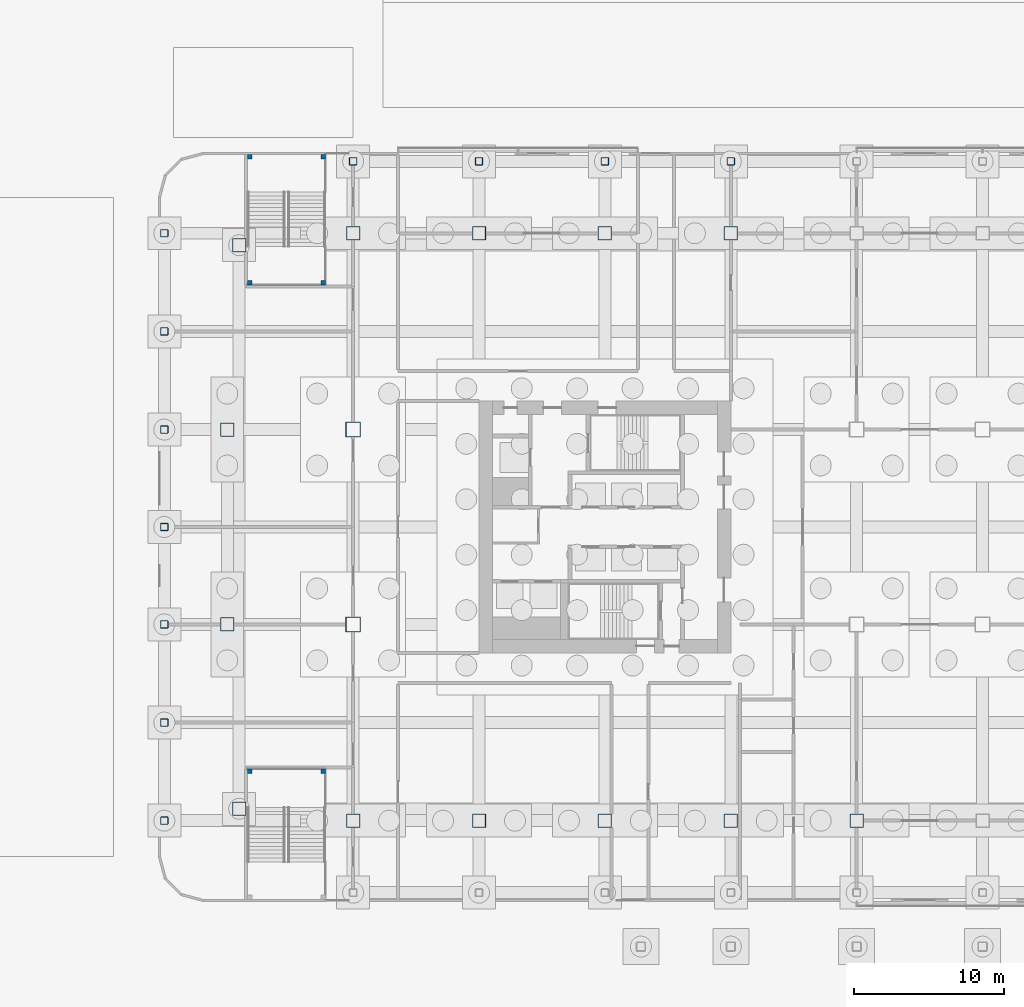
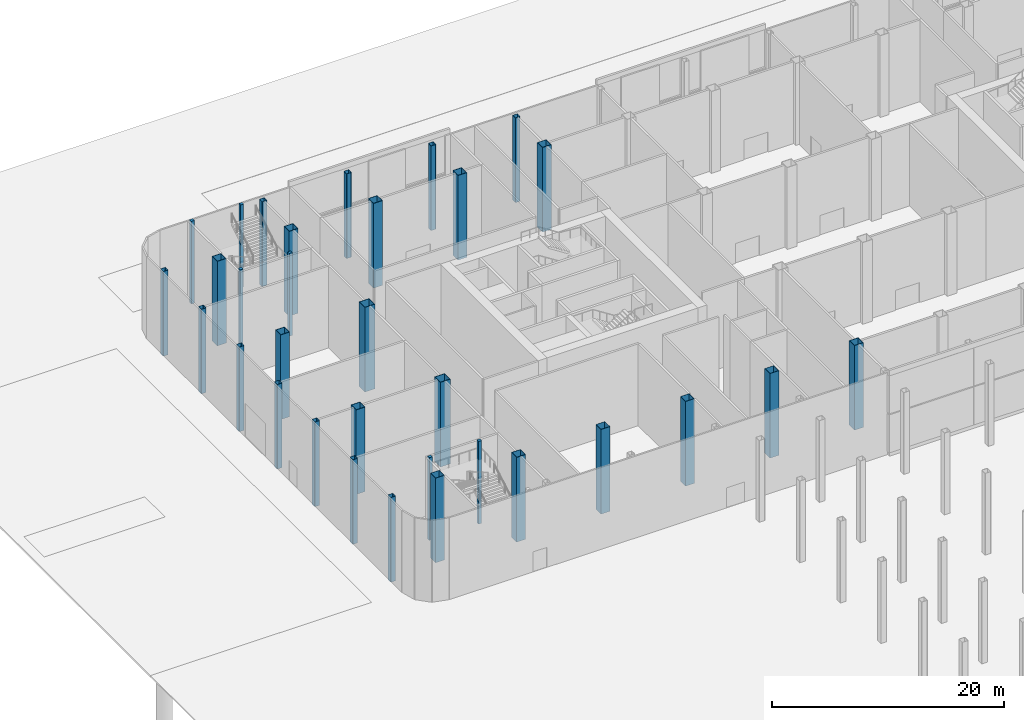
# One storey, part 11 of 113: 32 columns.
"""IFC4 building model written with IfcOpenShell, lengths in metres."""

from ifc_helpers import new_model, si_unit, direction, frame, origin, origin_2d, place, context, subcontext, project, spatial, rectangle, hollow_rectangle, extrude, material, material_profile, profile_set, type_object, element, save


model = new_model("IFC4")

# Units and contexts
model_context = context("Model", 3, precision=1e-05, world=origin(), true_north=direction((0.0, 1.0)))
body_context = subcontext(model_context, "Body", "Model", "MODEL_VIEW")
ifc_project = project(units=[si_unit("LENGTHUNIT", "METRE"), si_unit("AREAUNIT", "SQUARE_METRE"), si_unit("VOLUMEUNIT", "CUBIC_METRE"), si_unit("PLANEANGLEUNIT", "RADIAN"), si_unit("MASSUNIT", "GRAM", prefix="KILO")], contexts=[model_context])

# Site, building, storey
site_placement = place(None, origin())
site = spatial("IfcSite", under=ifc_project, at=site_placement, CompositionType="ELEMENT")
building_placement = place(site_placement, origin())
building = spatial("IfcBuilding", under=site, at=building_placement, Name="Hakoniwa Tower and Hamabe Station Hall", CompositionType="ELEMENT")
storey_placement = place(building_placement, origin())
storey = spatial("IfcBuildingStorey", under=building, at=storey_placement, Name="L01", CompositionType="ELEMENT", Elevation=0.0)

# Columns
ifc_material_1 = material(Name="Steel BCR295", Category="steel")
ifc_material_profile_1 = material_profile(ifc_material_1, hollow_rectangle(XDim=0.5, YDim=0.5, WallThickness=0.01904296875, InnerFilletRadius=0.028564453125, OuterFilletRadius=0.047607421875, at=origin_2d()), Name="BCR-500x500x19")
ifc_profile_set_1 = profile_set([ifc_material_profile_1], Name="Steel BCR295")
column_type_1 = type_object("IfcColumnType", Name="COLUMN BCR-500x500x19", PredefinedType="COLUMN", material=ifc_profile_set_1)
for number, where, z_axis, x_axis, name in (
    (1, (-42.0, 24.39990234375, -0.300048828125), (0.0, 0.0, 1.0), (1.0, 0.0, 0.0), "Column P-2-RN"),
    (2, (-33.60009765625, 24.39990234375, -0.300048828125), (0.0, 0.0, 1.0), (1.0, 0.0, 0.0), "Column P-3-RN"),
    (3, (-25.199951171875, 24.39990234375, -0.300048828125), (0.0, 0.0, 1.0), (1.0, 0.0, 0.0), "Column P-4-RN"),
    (4, (-16.800048828125, 24.39990234375, -0.300048828125), (0.0, 0.0, 1.0), (1.0, 0.0, 0.0), "Column P-5-RN"),
    (5, (-54.60009765625, -19.60009765625, -0.300048828125), (0.0, 0.0, 1.0), (1.0, 0.0, 0.0), "Column P-RW-A1"),
    (6, (-54.60009765625, -13.050048828125, -0.300048828125), (0.0, 0.0, 1.0), (1.0, 0.0, 0.0), "Column P-RW-B1"),
    (7, (-54.60009765625, -6.5, -0.300048828125), (0.0, 0.0, 1.0), (1.0, 0.0, 0.0), "Column P-RW-C1"),
    (8, (-54.60009765625, 0.0, -0.300048828125), (0.0, 0.0, 1.0), (1.0, 0.0, 0.0), "Column P-RW-D1"),
    (9, (-54.60009765625, 6.5, -0.300048828125), (0.0, 0.0, 1.0), (1.0, 0.0, 0.0), "Column P-RW-E1"),
    (10, (-54.60009765625, 13.050048828125, -0.300048828125), (0.0, 0.0, 1.0), (1.0, 0.0, 0.0), "Column P-RW-F1"),
    (11, (-54.60009765625, 19.60009765625, -0.300048828125), (0.0, 0.0, 1.0), (1.0, 0.0, 0.0), "Column P-RW-G1"),
):
    element("IfcColumn", number, at=place(storey_placement, frame(where, z_axis=z_axis, x_axis=x_axis)), inside=storey, type_object=column_type_1, Name=name, PredefinedType="COLUMN", context=body_context, shape_type="SweptSolid", body=[
        extrude(hollow_rectangle(XDim=0.5, YDim=0.5, WallThickness=0.01904296875, InnerFilletRadius=0.028564453125, OuterFilletRadius=0.047607421875, at=origin_2d()), origin(), (0.0, 0.0, 1.0), 8.900146484375),
    ])
ifc_material_2 = material(Name="Steel SN490C", Category="steel")
ifc_material_profile_2 = material_profile(ifc_material_2, hollow_rectangle(XDim=1.0, YDim=1.0, WallThickness=0.0400390625, at=origin_2d()), Name="BX-1000x1000x40")
ifc_profile_set_2 = profile_set([ifc_material_profile_2], Name="Steel SN490C")
column_type_2 = type_object("IfcColumnType", Name="COLUMN BX-1000x1000x40", PredefinedType="COLUMN", material=ifc_profile_set_2)
for number, where, z_axis, x_axis, name in (
    (12, (-42.0, -6.5, -0.300048828125), (0.0, 0.0, 1.0), (1.0, 0.0, 0.0), "Column P-2-C1"),
    (13, (-42.0, 6.5, -0.300048828125), (0.0, 0.0, 1.0), (1.0, 0.0, 0.0), "Column P-2-E1"),
):
    element("IfcColumn", number, at=place(storey_placement, frame(where, z_axis=z_axis, x_axis=x_axis)), inside=storey, type_object=column_type_2, Name=name, PredefinedType="COLUMN", context=body_context, shape_type="SweptSolid", body=[
        extrude(hollow_rectangle(XDim=1.0, YDim=1.0, WallThickness=0.0400390625, at=origin_2d()), origin(), (0.0, 0.0, 1.0), 8.900146484375),
    ])
ifc_material_3 = material(Name="Steel SN490C", Category="steel")
ifc_material_profile_3 = material_profile(ifc_material_3, hollow_rectangle(XDim=0.89990234375, YDim=0.89990234375, WallThickness=0.035888671875, at=origin_2d()), Name="BX-900x900x36")
ifc_profile_set_3 = profile_set([ifc_material_profile_3], Name="Steel SN490C")
column_type_3 = type_object("IfcColumnType", Name="COLUMN BX-900x900x36", PredefinedType="COLUMN", material=ifc_profile_set_3)
for number, where, z_axis, x_axis, name in (
    (14, (-49.60302734375, -18.802978515625, -0.300048828125), (0.0, 0.0, 1.0), (1.0, 0.0, 0.0), "Column P-1-A1"),
    (15, (-50.39990234375, -6.5, -0.300048828125), (0.0, 0.0, 1.0), (1.0, 0.0, 0.0), "Column P-1-C1"),
    (16, (-50.39990234375, 6.5, -0.300048828125), (0.0, 0.0, 1.0), (1.0, 0.0, 0.0), "Column P-1-E1"),
    (17, (-49.60302734375, 18.802978515625, -0.300048828125), (0.0, 0.0, 1.0), (1.0, 0.0, 0.0), "Column P-1-G1"),
    (18, (-42.0, -19.60009765625, -0.300048828125), (0.0, 0.0, 1.0), (1.0, 0.0, 0.0), "Column P-2-A1"),
    (19, (-42.0, 19.60009765625, -0.300048828125), (0.0, 0.0, 1.0), (1.0, 0.0, 0.0), "Column P-2-G1"),
    (20, (-33.60009765625, -19.60009765625, -0.300048828125), (0.0, 0.0, 1.0), (1.0, 0.0, 0.0), "Column P-3-A1"),
    (21, (-33.60009765625, 19.60009765625, -0.300048828125), (0.0, 0.0, 1.0), (1.0, 0.0, 0.0), "Column P-3-G1"),
    (22, (-25.199951171875, -19.60009765625, -0.300048828125), (0.0, 0.0, 1.0), (1.0, 0.0, 0.0), "Column P-4-A1"),
    (23, (-25.199951171875, 19.60009765625, -0.300048828125), (0.0, 0.0, 1.0), (1.0, 0.0, 0.0), "Column P-4-G1"),
    (24, (-16.800048828125, -19.60009765625, -0.300048828125), (0.0, 0.0, 1.0), (1.0, 0.0, 0.0), "Column P-5-A1"),
    (25, (-16.800048828125, 19.60009765625, -0.300048828125), (0.0, 0.0, 1.0), (1.0, 0.0, 0.0), "Column P-5-G1"),
    (26, (-8.39990234375, -19.60009765625, -0.300048828125), (0.0, 0.0, 1.0), (1.0, 0.0, 0.0), "Column P-6-A1"),
):
    element("IfcColumn", number, at=place(storey_placement, frame(where, z_axis=z_axis, x_axis=x_axis)), inside=storey, type_object=column_type_3, Name=name, PredefinedType="COLUMN", context=body_context, shape_type="SweptSolid", body=[
        extrude(hollow_rectangle(XDim=0.89990234375, YDim=0.89990234375, WallThickness=0.035888671875, at=origin_2d()), origin(), (0.0, 0.0, 1.0), 8.900146484375),
    ])
ifc_material_4 = material(Name="Concrete C40", Category="concrete")
ifc_material_profile_4 = material_profile(ifc_material_4, rectangle(XDim=0.300048828125, YDim=0.300048828125, at=origin_2d()), Name="STAIR LANDING POST 300X300")
ifc_profile_set_4 = profile_set([ifc_material_profile_4], Name="Concrete C40")
column_type_4 = type_object("IfcColumnType", Name="STAIR LANDING POST 300X300", PredefinedType="COLUMN", material=ifc_profile_set_4)
for number, where, z_axis, x_axis, name in (
    (27, (-48.89990234375, 24.699951171875, 0.0), (0.0, 0.0, 1.0), (1.0, 0.0, 0.0), "Landing post PS1 1a"),
    (28, (-44.0, 24.699951171875, 0.0), (0.0, 0.0, 1.0), (1.0, 0.0, 0.0), "Landing post PS1 1b"),
    (29, (-48.89990234375, 16.300048828125, 0.0), (0.0, 0.0, 1.0), (1.0, 0.0, 0.0), "Landing post PS1 2a"),
    (30, (-44.0, 16.300048828125, 0.0), (0.0, 0.0, 1.0), (1.0, 0.0, 0.0), "Landing post PS1 2b"),
    (31, (-44.0, -16.300048828125, 0.0), (0.0, 0.0, 1.0), (1.0, 0.0, 0.0), "Landing post PS4 2a"),
    (32, (-48.89990234375, -16.300048828125, 0.0), (0.0, 0.0, 1.0), (1.0, 0.0, 0.0), "Landing post PS4 2b"),
):
    element("IfcColumn", number, at=place(storey_placement, frame(where, z_axis=z_axis, x_axis=x_axis)), inside=storey, type_object=column_type_4, Name=name, PredefinedType="COLUMN", context=body_context, shape_type="SweptSolid", body=[
        extrude(rectangle(XDim=0.300048828125, YDim=0.300048828125, at=origin_2d()), origin(), (0.0, 0.0, 1.0), 8.699951171875),
    ])

save(model, "model.ifc")
